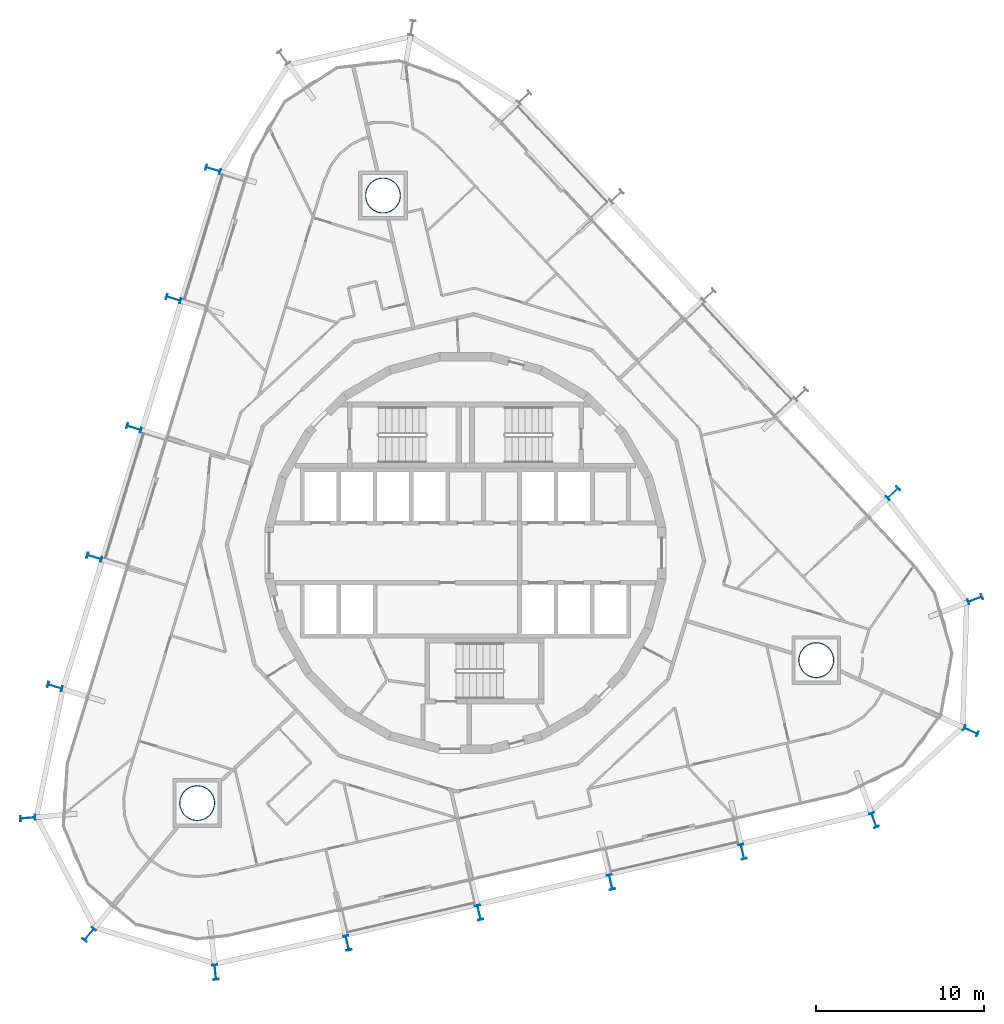
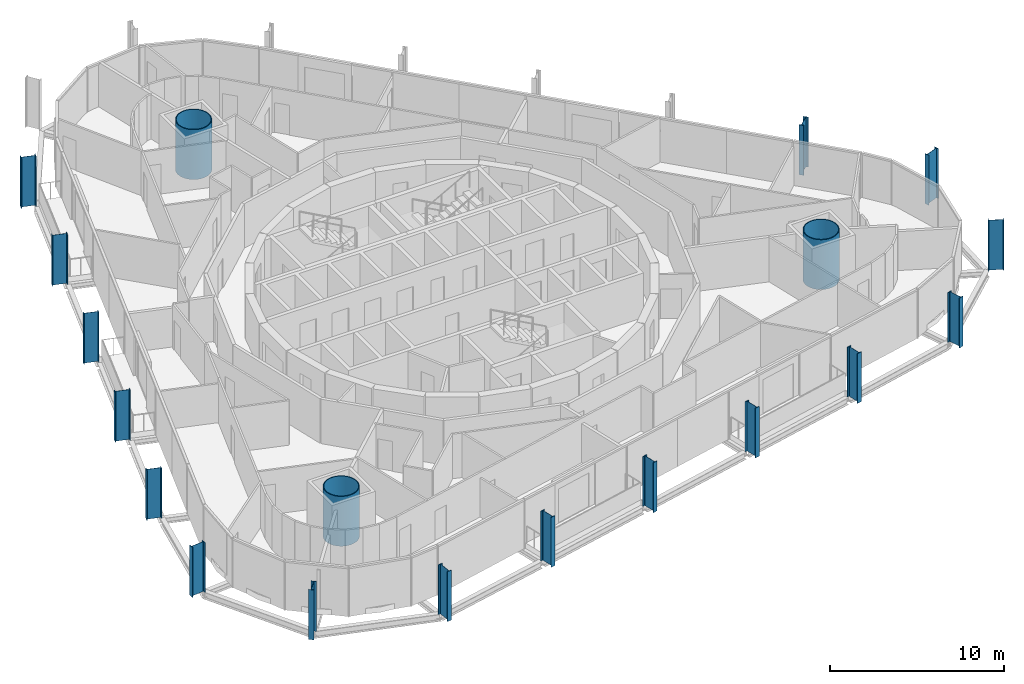
# One storey, part 1 of 18: 19 columns.
"""IFC4 building model written with IfcOpenShell, lengths in metres."""

from ifc_helpers import new_model, si_unit, direction, frame, origin, origin_2d, place, context, subcontext, project, spatial, hollow_circle, i_section, extrude, material, material_profile, profile_set, type_object, element, save


model = new_model("IFC4")

# Units and contexts
model_context = context("Model", 3, precision=1e-05, world=origin(), true_north=direction((0.0, 1.0)))
body_context = subcontext(model_context, "Body", "Model", "MODEL_VIEW")
ifc_project = project(units=[si_unit("LENGTHUNIT", "METRE"), si_unit("AREAUNIT", "SQUARE_METRE"), si_unit("VOLUMEUNIT", "CUBIC_METRE"), si_unit("PLANEANGLEUNIT", "RADIAN"), si_unit("MASSUNIT", "GRAM", prefix="KILO")], contexts=[model_context])

# Site, building, storey
site_placement = place(None, origin())
site = spatial("IfcSite", under=ifc_project, at=site_placement, CompositionType="ELEMENT")
building_placement = place(site_placement, origin())
building = spatial("IfcBuilding", under=site, at=building_placement, Name="Spindle Arch Residences", CompositionType="ELEMENT")
storey_placement = place(building_placement, frame((0.0, 0.0, 134.39990234375)))
storey = spatial("IfcBuildingStorey", under=building, at=storey_placement, Name="L33", CompositionType="ELEMENT", Elevation=134.39990234375)

# Columns
ifc_material_1 = material(Name="Steel S460ML, intumescent coating R 240", Category="steel")
ifc_material_profile_1 = material_profile(ifc_material_1, i_section(OverallWidth=0.300048828125, OverallDepth=0.89990234375, WebThickness=0.0185546875, FlangeThickness=0.034912109375, FilletRadius=0.030029296875, at=origin_2d()), Name="HEB 900")
ifc_profile_set_1 = profile_set([ifc_material_profile_1], Name="Steel S460ML, intumescent coating R 240")
column_type_1 = type_object("IfcColumnType", Name="Exoskeleton post HEB 900", PredefinedType="COLUMN", material=ifc_profile_set_1)
for number, where, z_axis, x_axis, name in (
    (1, (8.633544921875, -19.5498046875, -0.3798828125), (0.0, 0.0, 1.0), (-0.974370073419, -0.224951016948, 0.0), "Exoskeleton post 1"),
    (2, (16.45703125, -17.74365234375, -0.3798828125), (0.0, 0.0, 1.0), (-0.974370073419, -0.224951016948, 0.0), "Exoskeleton post 2"),
    (3, (24.26123046875, -15.86767578125, -0.3798828125), (0.0, 0.0, 1.0), (-0.940523325903, -0.339729117728, 0.0), "Exoskeleton post 3"),
    (4, (30.013916015625, -10.5712890625, -0.3798828125), (0.0, 0.0, 1.0), (-0.416143895931, -0.909298772615, 0.0), "Exoskeleton post 4"),
    (5, (30.261962890625, -2.756103515625, -0.3798828125), (0.0, 0.0, 1.0), (0.357664986637, -0.933849965109, 0.0), "Exoskeleton post 5"),
    (6, (25.390869140625, 3.550048828125, -0.3798828125), (0.0, 0.0, 1.0), (0.68199801865, -0.731354019992, 0.0), "Exoskeleton post 6"),
    (7, (-14.9873046875, 22.7734375, -0.3798828125), (0.0, 0.0, 1.0), (0.29237190653, 0.956304694264, 0.0), "Exoskeleton post 13"),
    (8, (-17.3349609375, 15.09521484375, -0.3798828125), (0.0, 0.0, 1.0), (0.29237190653, 0.956304694264, 0.0), "Exoskeleton post 14"),
    (9, (-19.682373046875, 7.4169921875, -0.3798828125), (0.0, 0.0, 1.0), (0.29237190653, 0.956304694264, 0.0), "Exoskeleton post 15"),
    (10, (-22.02978515625, -0.261474609375, -0.3798828125), (0.0, 0.0, 1.0), (0.29237190653, 0.956304694264, 0.0), "Exoskeleton post 16"),
    (11, (-24.37744140625, -7.939697265625, -0.3798828125), (0.0, 0.0, 1.0), (0.29237190653, 0.956304694264, 0.0), "Exoskeleton post 17"),
    (12, (-25.9912109375, -15.742919921875, -0.3798828125), (0.0, 0.0, 1.0), (-0.087904987966, 0.996128863697, 0.0), "Exoskeleton post 18"),
    (13, (-22.34228515625, -22.65869140625, -0.3798828125), (0.0, 0.0, 1.0), (-0.772637925649, 0.634846938915, 0.0), "Exoskeleton post 19"),
    (14, (-14.85009765625, -24.897216796875, -0.3798828125), (0.0, 0.0, 1.0), (-0.994264182944, -0.106952019682, 0.0), "Exoskeleton post 20"),
    (15, (-7.01318359375, -23.162109375, -0.3798828125), (0.0, 0.0, 1.0), (-0.974370073419, -0.224951016948, 0.0), "Exoskeleton post 21"),
    (16, (0.810302734375, -21.35595703125, -0.3798828125), (0.0, 0.0, 1.0), (-0.974370073419, -0.224951016948, 0.0), "Exoskeleton post 22"),
):
    element("IfcColumn", number, at=place(storey_placement, frame(where, z_axis=z_axis, x_axis=x_axis)), inside=storey, type_object=column_type_1, Name=name, PredefinedType="COLUMN", context=body_context, shape_type="SweptSolid", body=[
        extrude(i_section(OverallWidth=0.300048828125, OverallDepth=0.89990234375, WebThickness=0.0185546875, FlangeThickness=0.034912109375, FilletRadius=0.030029296875, at=origin_2d()), origin(), (0.0, 0.0, 1.0), 3.5),
    ])
ifc_material_2 = material(Name="Concrete C50/60 filled steel tube S460ML, intumescent coating R 240", Category="concrete")
ifc_material_profile_2 = material_profile(ifc_material_2, hollow_circle(Radius=1.050048828125, WallThickness=0.050048828125, at=origin_2d()), Name="CFT D2100x50")
ifc_profile_set_2 = profile_set([ifc_material_profile_2], Name="Concrete C50/60 filled steel tube S460ML, intumescent coating R 240")
column_type_2 = type_object("IfcColumnType", Name="Mega-column CFT D2100x50", PredefinedType="COLUMN", material=ifc_profile_set_2)
for number, where, z_axis, x_axis, name in (
    (17, (20.830078125, -6.368408203125, -0.3798828125), (0.0, 0.0, 1.0), (1.0, 0.0, 0.0), "Mega-column 1"),
    (18, (-4.89990234375, 21.223388671875, -0.3798828125), (0.0, 0.0, 1.0), (1.0, 0.0, 0.0), "Mega-column 2"),
    (19, (-15.93017578125, -14.855224609375, -0.3798828125), (0.0, 0.0, 1.0), (1.0, 0.0, 0.0), "Mega-column 3"),
):
    element("IfcColumn", number, at=place(storey_placement, frame(where, z_axis=z_axis, x_axis=x_axis)), inside=storey, type_object=column_type_2, Name=name, PredefinedType="COLUMN", context=body_context, shape_type="SweptSolid", body=[
        extrude(hollow_circle(Radius=1.050048828125, WallThickness=0.050048828125, at=origin_2d()), origin(), (0.0, 0.0, 1.0), 3.5),
    ])

save(model, "model.ifc")
